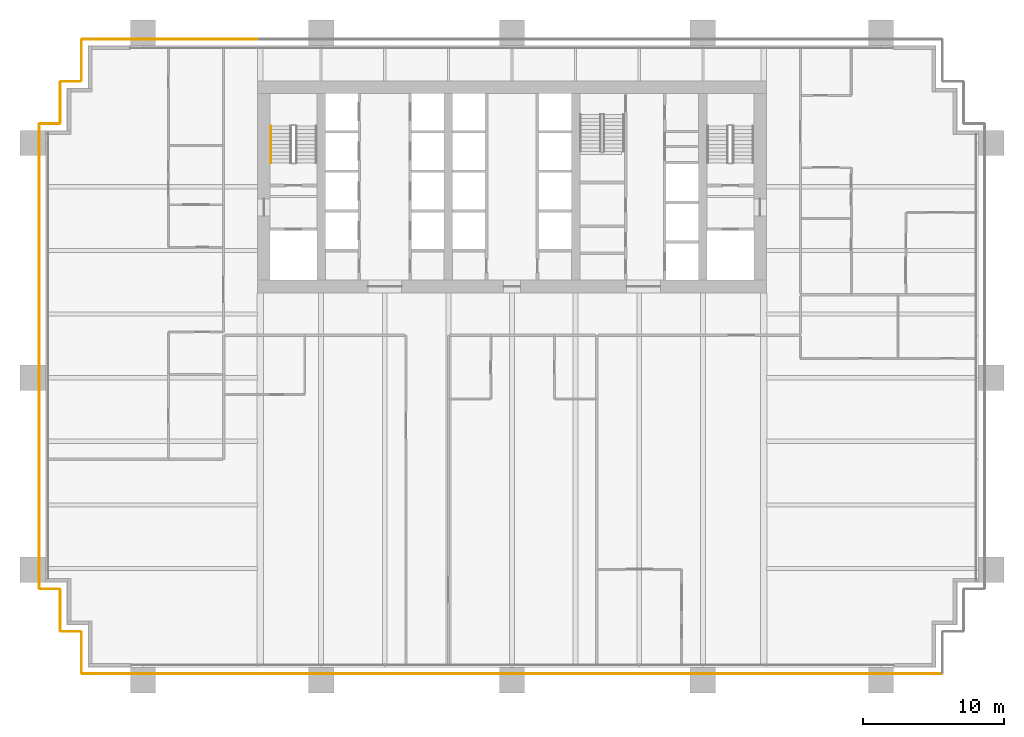
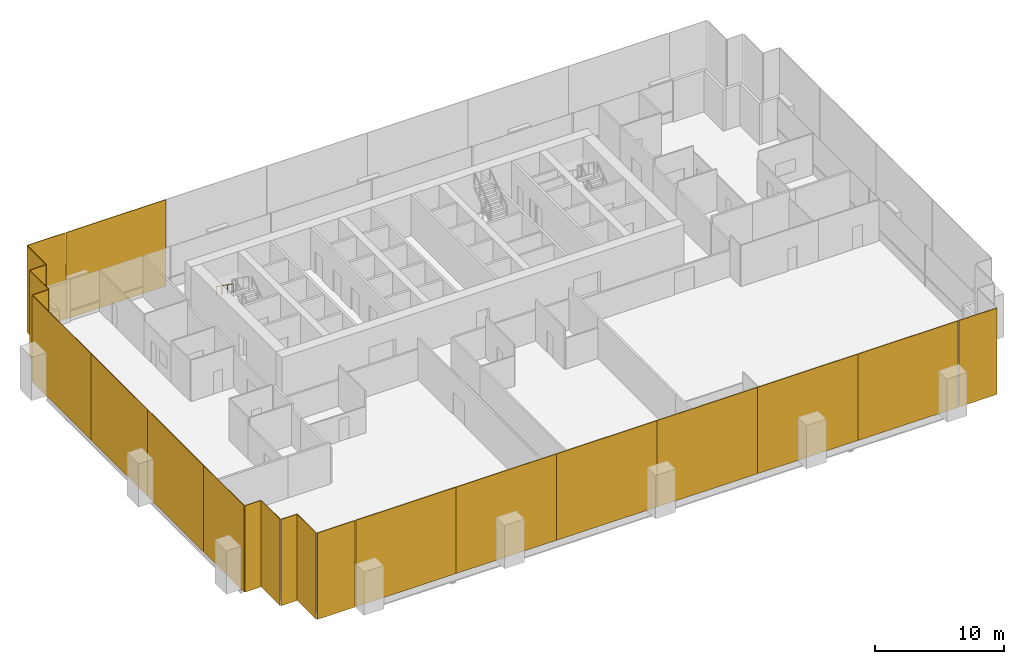
# One storey, part 15 of 17: 22 coverings, 1 railing.
"""IFC4 building model written with IfcOpenShell, lengths in metres."""

import ifcopenshell
import ifcopenshell.guid

model = None  # the IFC model being written
_history = None  # IfcOwnerHistory: only IFC2X3 demands one
_inside = {}  # id of a spatial element -> (the spatial element, [elements in it])
_under = {}  # id of a project, library or spatial element -> (it, [spatial elements below it])
_declared = {}  # id of a project -> (the project, [libraries it declares])
_typed = {}  # id of a type object -> (the type object, [elements of that type])
_made_of = {}  # id of a material, layer set ... -> (it, [elements and type objects made of it])


def new_model(schema):
    """Start an empty IFC model of exactly this schema.

    Asked for "IFC4X3", IfcOpenShell would pick the latest addendum, in which some entities
    have other attributes; the version numbers below select the first issue.
    IFC2X3 requires an IfcOwnerHistory on every rooted entity: one is made here for all.
    """
    global model, _history
    if schema == "IFC4X3":
        model = ifcopenshell.file(schema_version=(4, 3, 0, 0))
    else:
        model = ifcopenshell.file(schema=schema)
    _inside.clear()
    _under.clear()
    _declared.clear()
    _typed.clear()
    _made_of.clear()
    _history = None
    if model.schema == "IFC2X3":
        org = make("IfcOrganization", Name="unknown")
        user = make(
            "IfcPersonAndOrganization",
            ThePerson=make("IfcPerson", FamilyName="unknown"),
            TheOrganization=org,
        )
        app = make(
            "IfcApplication",
            ApplicationDeveloper=org,
            Version="unknown",
            ApplicationFullName="unknown",
            ApplicationIdentifier="unknown",
        )
        _history = make(
            "IfcOwnerHistory",
            OwningUser=user,
            OwningApplication=app,
            ChangeAction="ADDED",
            CreationDate=0,
        )
    return model


def make(cls, **values):
    """One entity of the class cls with the attributes given. An attribute that is None is left unset."""
    return model.create_entity(
        cls, **{name: value for name, value in values.items() if value is not None}
    )


def rooted(cls, **values):
    """An entity with a GlobalId (a new one), such as an element, a storey or a relation."""
    return make(cls, GlobalId=ifcopenshell.guid.new(), OwnerHistory=_history, **values)


def si_unit(unit_type, name, prefix=None):
    """IfcSIUnit, for example si_unit("LENGTHUNIT", "METRE", prefix="MILLI")."""
    return make("IfcSIUnit", UnitType=unit_type, Prefix=prefix, Name=name)


def assignment(units):
    """IfcUnitAssignment: the units of a project."""
    return None if units is None else make("IfcUnitAssignment", Units=units)


def point(xyz):
    """IfcCartesianPoint."""
    return None if xyz is None else make("IfcCartesianPoint", Coordinates=xyz)


def direction(xyz):
    """IfcDirection."""
    return None if xyz is None else make("IfcDirection", DirectionRatios=xyz)


def frame(location, z_axis=None, x_axis=None):
    """IfcAxis2Placement3D, a coordinate frame: its origin and axes. An axis left out is left unset."""
    return make(
        "IfcAxis2Placement3D",
        Location=point(location),
        Axis=direction(z_axis),
        RefDirection=direction(x_axis),
    )


def frame_2d(location, x_axis=None):
    """IfcAxis2Placement2D, a coordinate frame in the plane: its origin and x axis."""
    return make(
        "IfcAxis2Placement2D", Location=point(location), RefDirection=direction(x_axis)
    )


def origin():
    """The frame at (0, 0, 0) with its axes left unset."""
    return frame((0.0, 0.0, 0.0))


def origin_2d():
    """The frame at (0, 0) in the plane with its x axis left unset."""
    return frame_2d((0.0, 0.0))


def place(relative_to, where):
    """IfcLocalPlacement: puts the frame where relative to a parent placement (None: the world)."""
    return make(
        "IfcLocalPlacement", PlacementRelTo=relative_to, RelativePlacement=where
    )


def context(
    kind, dimensions, precision=None, world=None, true_north=None, identifier=None
):
    """IfcGeometricRepresentationContext, for example the 3D "Model" context."""
    return make(
        "IfcGeometricRepresentationContext",
        ContextIdentifier=identifier,
        ContextType=kind,
        CoordinateSpaceDimension=dimensions,
        Precision=precision,
        WorldCoordinateSystem=world,
        TrueNorth=true_north,
    )


def subcontext(parent, identifier, kind, view, scale=None):
    """IfcGeometricRepresentationSubContext, for example "Body" below "Model"."""
    return make(
        "IfcGeometricRepresentationSubContext",
        ContextIdentifier=identifier,
        ContextType=kind,
        ParentContext=parent,
        TargetScale=scale,
        TargetView=view,
    )


def project(units=None, contexts=None):
    """IfcProject with its units and contexts."""
    return rooted(
        "IfcProject",
        Name="project",
        RepresentationContexts=contexts,
        UnitsInContext=assignment(units),
    )


def spatial(cls, under=None, at=None, **own):
    """A site, building, storey or space (cls), placed at a placement, below another one or the project."""
    s = rooted(cls, ObjectPlacement=at, **own)
    if under is not None:
        _under.setdefault(under.id(), (under, []))[1].append(s)
    return s


def profile(cls, at=None, kind="AREA", **sizes):
    """A parametric profile (cls). Its sizes go by their IFC names, for example OverallWidth=200.0."""
    return make(cls, ProfileType=kind, Position=at, **sizes)


def rectangle(**sizes):
    """IfcRectangleProfileDef."""
    return profile("IfcRectangleProfileDef", **sizes)


def extrude(swept, where, along, depth):
    """IfcExtrudedAreaSolid: the profile swept, set in the frame where, extruded along a direction by depth."""
    return make(
        "IfcExtrudedAreaSolid",
        SweptArea=swept,
        Position=where,
        ExtrudedDirection=direction(along),
        Depth=depth,
    )


def shape(context_of_items, identifier, shape_type, items):
    """IfcShapeRepresentation: the items that make up one representation, for example the "Body"."""
    return make(
        "IfcShapeRepresentation",
        ContextOfItems=context_of_items,
        RepresentationIdentifier=identifier,
        RepresentationType=shape_type,
        Items=items,
    )


def material(Name=None, Category=None):
    """IfcMaterial."""
    return make("IfcMaterial", Name=Name, Category=Category)


def layer(
    of_material, thickness, ventilated=None, Name=None, Category=None, Priority=None
):
    """IfcMaterialLayer: one layer of a wall or slab, of a material (None: an air gap)."""
    return make(
        "IfcMaterialLayer",
        Material=of_material,
        LayerThickness=thickness,
        IsVentilated=ventilated,
        Name=Name,
        Category=Category,
        Priority=Priority,
    )


def layer_set(layers, Name=None):
    """IfcMaterialLayerSet."""
    return make("IfcMaterialLayerSet", MaterialLayers=layers, LayerSetName=Name)


def made_of(thing, what):
    """Note that an element or type object is made of a material, layer set ...; save() writes the relation."""
    if what is not None:
        _made_of.setdefault(what.id(), (what, []))[1].append(thing)
    return thing


def type_object(cls, material=None, **own):
    """A type object (cls), such as IfcWallType, which elements share."""
    return made_of(rooted(cls, **own), material)


def element(
    cls,
    number,
    at=None,
    inside=None,
    cuts=None,
    type_object=None,
    material=None,
    context=None,
    identifier="Body",
    shape_type=None,
    held_by="IfcProductDefinitionShape",
    body=None,
    shapes=None,
    **own,
):
    """One element of the class cls, such as IfcWall. Its Tag is "e" and its number.

    at: its placement. inside: the storey or other place that contains it. cuts: it is an
    opening in that element (IfcRelVoidsElement). A single representation is given by context,
    identifier, shape_type and body (its items); several are given by shapes. held_by: the class
    of the entity that holds the representations. save() writes the other relations.
    """
    e = rooted(cls, Tag="e%d" % number, ObjectPlacement=at, **own)
    if body is not None:
        shapes = [shape(context, identifier, shape_type, body)]
    if shapes is not None:
        e.Representation = make(held_by, Representations=shapes)
    if inside is not None:
        _inside.setdefault(inside.id(), (inside, []))[1].append(e)
    if cuts is not None:
        rooted(
            "IfcRelVoidsElement", RelatingBuildingElement=cuts, RelatedOpeningElement=e
        )
    if type_object is not None:
        _typed.setdefault(type_object.id(), (type_object, []))[1].append(e)
    return made_of(e, material)


def aggregate(whole, parts):
    """IfcRelAggregates: a whole, such as a stair, and the parts it consists of."""
    return rooted("IfcRelAggregates", RelatingObject=whole, RelatedObjects=parts)


def save(model, path):
    """Write the relations noted so far, then the file.

    IfcRelAggregates (storeys below a building ...), IfcRelContainedInSpatialStructure (elements
    in a storey), IfcRelDefinesByType, IfcRelAssociatesMaterial and IfcRelDeclares: one each for
    every whole, place, type object, material and project.
    """
    for whole, parts in _under.values():
        aggregate(whole, parts)
    for where, things in _inside.values():
        rooted(
            "IfcRelContainedInSpatialStructure",
            RelatedElements=things,
            RelatingStructure=where,
        )
    for kind, things in _typed.values():
        rooted("IfcRelDefinesByType", RelatedObjects=things, RelatingType=kind)
    for what, things in _made_of.values():
        rooted("IfcRelAssociatesMaterial", RelatedObjects=things, RelatingMaterial=what)
    for by, libraries in _declared.values():
        rooted("IfcRelDeclares", RelatingContext=by, RelatedDefinitions=libraries)
    model.write(path)


model = new_model("IFC4")

# Units and contexts
model_context = context("Model", 3, precision=1e-05, world=origin(), true_north=direction((0.0, 1.0)))
body_context = subcontext(model_context, "Body", "Model", "MODEL_VIEW")
ifc_project = project(units=[si_unit("LENGTHUNIT", "METRE"), si_unit("AREAUNIT", "SQUARE_METRE"), si_unit("VOLUMEUNIT", "CUBIC_METRE"), si_unit("PLANEANGLEUNIT", "RADIAN"), si_unit("MASSUNIT", "GRAM", prefix="KILO")], contexts=[model_context])

# Site, building, storey
site_placement = place(None, origin())
site = spatial("IfcSite", under=ifc_project, at=site_placement, CompositionType="ELEMENT")
building_placement = place(site_placement, origin())
building = spatial("IfcBuilding", under=site, at=building_placement, Name="Rattan Terrace Tower", CompositionType="ELEMENT")
storey_placement = place(building_placement, frame((0.0, 0.0, 44.699951171875)))
storey = spatial("IfcBuildingStorey", under=building, at=storey_placement, Name="L09", CompositionType="ELEMENT", Elevation=44.699951171875)

# Railing
ifc_material_1 = material(Name="Powder-coated steel handrail", Category="steel")
railing_type = type_object("IfcRailingType", Name="Core stair handrail", PredefinedType="HANDRAIL", material=ifc_material_1)
railing_placement = place(storey_placement, frame((-17.050048828125, 4.300048828125, 2.236328125)))
element("IfcRailing", 1, at=railing_placement, inside=storey, type_object=railing_type, Name="L09 S1 stair handrail 2", PredefinedType="HANDRAIL", context=body_context, shape_type="SweptSolid", body=[
    extrude(rectangle(XDim=0.048095703125, YDim=0.048095703125, at=origin_2d()), frame((0.0, 0.0, 0.8759765625), z_axis=(0.0, -0.812762922914, 0.582594568406), x_axis=(1.0, 0.0, 0.0)), (0.0, 0.0, 1.0), 3.198974609375),
    extrude(rectangle(XDim=0.0419921875, YDim=0.0419921875, at=origin_2d()), origin(), (0.0, 0.0, 1.0), 0.851806640625),
    extrude(rectangle(XDim=0.0419921875, YDim=0.0419921875, at=origin_2d()), frame((0.0, -0.86669921875, 0.621337890625)), (0.0, 0.0, 1.0), 0.851806640625),
    extrude(rectangle(XDim=0.0419921875, YDim=0.0419921875, at=origin_2d()), frame((0.0, -1.7333984375, 1.242431640625)), (0.0, 0.0, 1.0), 0.851806640625),
    extrude(rectangle(XDim=0.0419921875, YDim=0.0419921875, at=origin_2d()), frame((0.0, -2.60009765625, 1.86376953125)), (0.0, 0.0, 1.0), 0.851806640625),
])

# Coverings
ifc_material_2 = material(Name="Perforated terracotta", Category="masonry")
ifc_layer = layer(ifc_material_2, 0.06005859375)
ifc_layer_set = layer_set([ifc_layer], Name="Facade Terracotta Screen Panel")
covering_type = type_object("IfcCoveringType", Name="Facade Terracotta Screen Panel", PredefinedType="CLADDING", material=ifc_layer_set)
covering_1_placement = place(storey_placement, frame((28.72509765625, -34.449951171875, -0.18994140625), z_axis=(0.0, 0.0, 1.0), x_axis=(1.0, 0.0, 0.0)))
element("IfcCovering", 2, at=covering_1_placement, inside=storey, type_object=covering_type, Name="OUTER SKIN panel L09-1", PredefinedType="CLADDING", context=body_context, shape_type="SweptSolid", body=[
    extrude(rectangle(XDim=3.3701171875, YDim=0.06005859375, at=origin_2d()), origin(), (0.0, 0.0, 1.0), 8.179931640625),
])
covering_2_placement = place(storey_placement, frame((-22.485107421875, 10.449951171875, -0.18994140625), z_axis=(0.0, 0.0, 1.0), x_axis=(-1.0, 0.0, 0.0)))
element("IfcCovering", 3, at=covering_2_placement, inside=storey, type_object=covering_type, Name="OUTER SKIN panel L09-20", PredefinedType="CLADDING", context=body_context, shape_type="SweptSolid", body=[
    extrude(rectangle(XDim=8.949951171875, YDim=0.06005859375, at=origin_2d()), origin(), (0.0, 0.0, 1.0), 8.179931640625),
])
covering_3_placement = place(storey_placement, frame((-28.72509765625, 10.449951171875, -0.18994140625), z_axis=(0.0, 0.0, 1.0), x_axis=(-1.0, 0.0, 0.0)))
element("IfcCovering", 4, at=covering_3_placement, inside=storey, type_object=covering_type, Name="OUTER SKIN panel L09-21", PredefinedType="CLADDING", context=body_context, shape_type="SweptSolid", body=[
    extrude(rectangle(XDim=3.3701171875, YDim=0.06005859375, at=origin_2d()), origin(), (0.0, 0.0, 1.0), 8.179931640625),
])
covering_4_placement = place(storey_placement, frame((-30.449951171875, 8.949951171875, -0.18994140625), z_axis=(0.0, 0.0, 1.0), x_axis=(0.0, -1.0, 0.0)))
element("IfcCovering", 5, at=covering_4_placement, inside=storey, type_object=covering_type, Name="OUTER SKIN panel L09-22", PredefinedType="CLADDING", context=body_context, shape_type="SweptSolid", body=[
    extrude(rectangle(XDim=2.919921875, YDim=0.06005859375, at=origin_2d()), origin(), (0.0, 0.0, 1.0), 8.179931640625),
])
covering_5_placement = place(storey_placement, frame((-31.199951171875, 7.449951171875, -0.18994140625), z_axis=(0.0, 0.0, 1.0), x_axis=(-1.0, 0.0, 0.0)))
element("IfcCovering", 6, at=covering_5_placement, inside=storey, type_object=covering_type, Name="OUTER SKIN panel L09-23", PredefinedType="CLADDING", context=body_context, shape_type="SweptSolid", body=[
    extrude(rectangle(XDim=1.419921875, YDim=0.06005859375, at=origin_2d()), origin(), (0.0, 0.0, 1.0), 8.179931640625),
])
covering_6_placement = place(storey_placement, frame((-31.949951171875, 5.949951171875, -0.18994140625), z_axis=(0.0, 0.0, 1.0), x_axis=(0.0, -1.0, 0.0)))
element("IfcCovering", 7, at=covering_6_placement, inside=storey, type_object=covering_type, Name="OUTER SKIN panel L09-24", PredefinedType="CLADDING", context=body_context, shape_type="SweptSolid", body=[
    extrude(rectangle(XDim=2.919921875, YDim=0.06005859375, at=origin_2d()), origin(), (0.0, 0.0, 1.0), 8.179931640625),
])
covering_7_placement = place(storey_placement, frame((-32.699951171875, 4.449951171875, -0.18994140625), z_axis=(0.0, 0.0, 1.0), x_axis=(-1.0, 0.0, 0.0)))
element("IfcCovering", 8, at=covering_7_placement, inside=storey, type_object=covering_type, Name="OUTER SKIN panel L09-25", PredefinedType="CLADDING", context=body_context, shape_type="SweptSolid", body=[
    extrude(rectangle(XDim=1.419921875, YDim=0.06005859375, at=origin_2d()), origin(), (0.0, 0.0, 1.0), 8.179931640625),
])
covering_8_placement = place(storey_placement, frame((-33.449951171875, -0.153564453125, -0.18994140625), z_axis=(0.0, 0.0, 1.0), x_axis=(0.0, -1.0, 0.0)))
element("IfcCovering", 9, at=covering_8_placement, inside=storey, type_object=covering_type, Name="OUTER SKIN panel L09-26", PredefinedType="CLADDING", context=body_context, shape_type="SweptSolid", body=[
    extrude(rectangle(XDim=9.126953125, YDim=0.06005859375, at=origin_2d()), origin(), (0.0, 0.0, 1.0), 8.179931640625),
])
for number, where, z_axis, x_axis, name in (
    (10, (-33.449951171875, -9.090576171875, -0.18994140625), (0.0, 0.0, 1.0), (0.0, -1.0, 0.0), "OUTER SKIN panel L09-27"),
    (11, (-33.449951171875, -17.8173828125, -0.18994140625), (0.0, 0.0, 1.0), (0.0, -1.0, 0.0), "OUTER SKIN panel L09-28"),
):
    element("IfcCovering", number, at=place(storey_placement, frame(where, z_axis=z_axis, x_axis=x_axis)), inside=storey, type_object=covering_type, Name=name, PredefinedType="CLADDING", context=body_context, shape_type="SweptSolid", body=[
        extrude(rectangle(XDim=8.70703125, YDim=0.06005859375, at=origin_2d()), origin(), (0.0, 0.0, 1.0), 8.179931640625),
    ])
covering_9_placement = place(storey_placement, frame((-33.449951171875, -25.300537109375, -0.18994140625), z_axis=(0.0, 0.0, 1.0), x_axis=(0.0, -1.0, 0.0)))
element("IfcCovering", 12, at=covering_9_placement, inside=storey, type_object=covering_type, Name="OUTER SKIN panel L09-29", PredefinedType="CLADDING", context=body_context, shape_type="SweptSolid", body=[
    extrude(rectangle(XDim=6.218994140625, YDim=0.06005859375, at=origin_2d()), origin(), (0.0, 0.0, 1.0), 8.179931640625),
])
covering_10_placement = place(storey_placement, frame((-32.699951171875, -28.449951171875, -0.18994140625), z_axis=(0.0, 0.0, 1.0), x_axis=(1.0, 0.0, 0.0)))
element("IfcCovering", 13, at=covering_10_placement, inside=storey, type_object=covering_type, Name="OUTER SKIN panel L09-30", PredefinedType="CLADDING", context=body_context, shape_type="SweptSolid", body=[
    extrude(rectangle(XDim=1.419921875, YDim=0.06005859375, at=origin_2d()), origin(), (0.0, 0.0, 1.0), 8.179931640625),
])
covering_11_placement = place(storey_placement, frame((-31.949951171875, -29.949951171875, -0.18994140625), z_axis=(0.0, 0.0, 1.0), x_axis=(0.0, -1.0, 0.0)))
element("IfcCovering", 14, at=covering_11_placement, inside=storey, type_object=covering_type, Name="OUTER SKIN panel L09-31", PredefinedType="CLADDING", context=body_context, shape_type="SweptSolid", body=[
    extrude(rectangle(XDim=2.919921875, YDim=0.06005859375, at=origin_2d()), origin(), (0.0, 0.0, 1.0), 8.179931640625),
])
covering_12_placement = place(storey_placement, frame((-31.199951171875, -31.449951171875, -0.18994140625), z_axis=(0.0, 0.0, 1.0), x_axis=(1.0, 0.0, 0.0)))
element("IfcCovering", 15, at=covering_12_placement, inside=storey, type_object=covering_type, Name="OUTER SKIN panel L09-32", PredefinedType="CLADDING", context=body_context, shape_type="SweptSolid", body=[
    extrude(rectangle(XDim=1.419921875, YDim=0.06005859375, at=origin_2d()), origin(), (0.0, 0.0, 1.0), 8.179931640625),
])
covering_13_placement = place(storey_placement, frame((-30.449951171875, -32.949951171875, -0.18994140625), z_axis=(0.0, 0.0, 1.0), x_axis=(0.0, -1.0, 0.0)))
element("IfcCovering", 16, at=covering_13_placement, inside=storey, type_object=covering_type, Name="OUTER SKIN panel L09-33", PredefinedType="CLADDING", context=body_context, shape_type="SweptSolid", body=[
    extrude(rectangle(XDim=2.919921875, YDim=0.06005859375, at=origin_2d()), origin(), (0.0, 0.0, 1.0), 8.179931640625),
])
covering_14_placement = place(storey_placement, frame((-28.72509765625, -34.449951171875, -0.18994140625), z_axis=(0.0, 0.0, 1.0), x_axis=(1.0, 0.0, 0.0)))
element("IfcCovering", 17, at=covering_14_placement, inside=storey, type_object=covering_type, Name="OUTER SKIN panel L09-34", PredefinedType="CLADDING", context=body_context, shape_type="SweptSolid", body=[
    extrude(rectangle(XDim=3.3701171875, YDim=0.06005859375, at=origin_2d()), origin(), (0.0, 0.0, 1.0), 8.179931640625),
])
covering_15_placement = place(storey_placement, frame((-22.485107421875, -34.449951171875, -0.18994140625), z_axis=(0.0, 0.0, 1.0), x_axis=(1.0, 0.0, 0.0)))
element("IfcCovering", 18, at=covering_15_placement, inside=storey, type_object=covering_type, Name="OUTER SKIN panel L09-35", PredefinedType="CLADDING", context=body_context, shape_type="SweptSolid", body=[
    extrude(rectangle(XDim=8.949951171875, YDim=0.06005859375, at=origin_2d()), origin(), (0.0, 0.0, 1.0), 8.179931640625),
])
for number, where, z_axis, x_axis, name in (
    (19, (-13.5, -34.449951171875, -0.18994140625), (0.0, 0.0, 1.0), (1.0, 0.0, 0.0), "OUTER SKIN panel L09-36"),
    (20, (-4.5, -34.449951171875, -0.18994140625), (0.0, 0.0, 1.0), (1.0, 0.0, 0.0), "OUTER SKIN panel L09-37"),
    (21, (4.5, -34.449951171875, -0.18994140625), (0.0, 0.0, 1.0), (1.0, 0.0, 0.0), "OUTER SKIN panel L09-38"),
    (22, (13.5, -34.449951171875, -0.18994140625), (0.0, 0.0, 1.0), (1.0, 0.0, 0.0), "OUTER SKIN panel L09-39"),
):
    element("IfcCovering", number, at=place(storey_placement, frame(where, z_axis=z_axis, x_axis=x_axis)), inside=storey, type_object=covering_type, Name=name, PredefinedType="CLADDING", context=body_context, shape_type="SweptSolid", body=[
        extrude(rectangle(XDim=8.97998046875, YDim=0.06005859375, at=origin_2d()), origin(), (0.0, 0.0, 1.0), 8.179931640625),
    ])
covering_16_placement = place(storey_placement, frame((22.485107421875, -34.449951171875, -0.18994140625), z_axis=(0.0, 0.0, 1.0), x_axis=(1.0, 0.0, 0.0)))
element("IfcCovering", 23, at=covering_16_placement, inside=storey, type_object=covering_type, Name="OUTER SKIN panel L09-40", PredefinedType="CLADDING", context=body_context, shape_type="SweptSolid", body=[
    extrude(rectangle(XDim=8.949951171875, YDim=0.06005859375, at=origin_2d()), origin(), (0.0, 0.0, 1.0), 8.179931640625),
])

save(model, "model.ifc")
